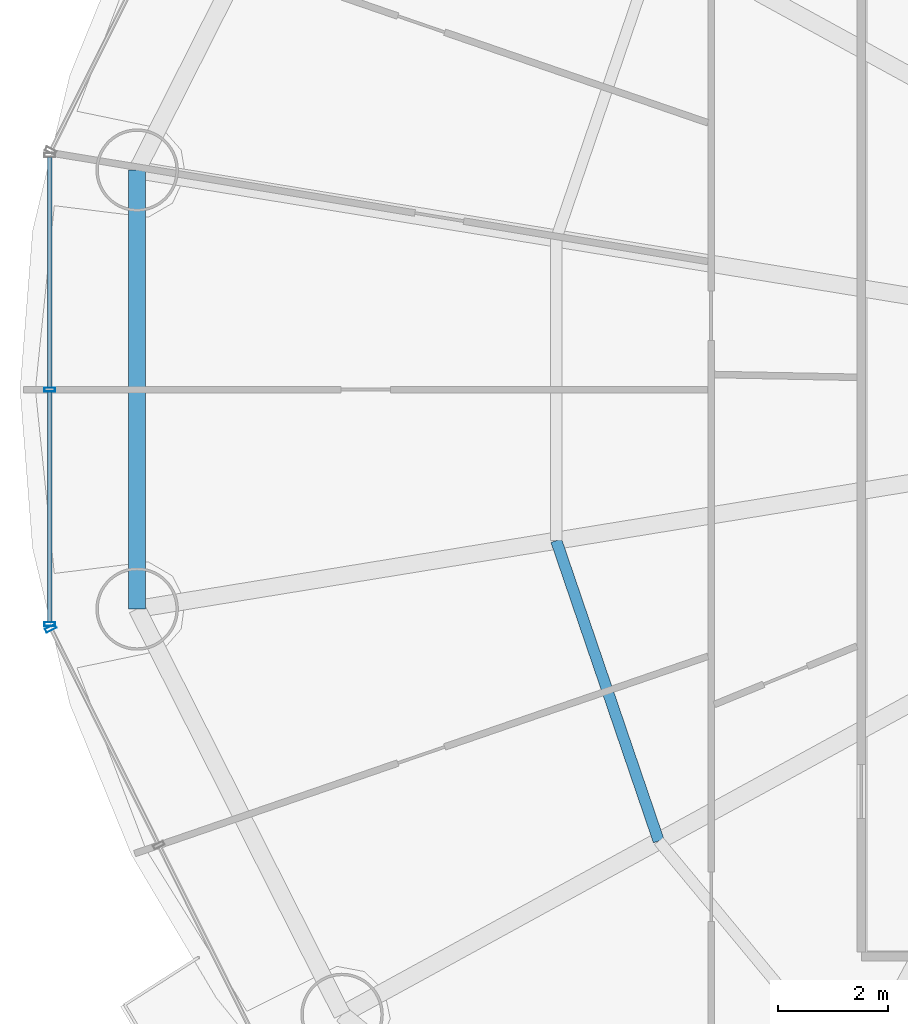
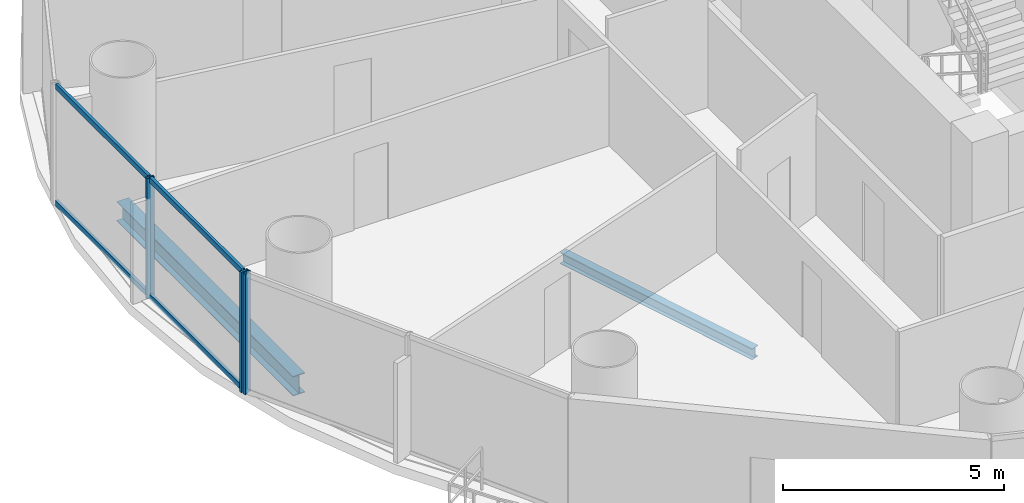
# One storey, part 7 of 29: 7 members, 2 beams, 2 elements without a shape of their own.
"""IFC4 building model written with IfcOpenShell, lengths in metres."""

import ifcopenshell
import ifcopenshell.guid

model = None  # the IFC model being written
_history = None  # IfcOwnerHistory: only IFC2X3 demands one
_inside = {}  # id of a spatial element -> (the spatial element, [elements in it])
_under = {}  # id of a project, library or spatial element -> (it, [spatial elements below it])
_declared = {}  # id of a project -> (the project, [libraries it declares])
_typed = {}  # id of a type object -> (the type object, [elements of that type])
_made_of = {}  # id of a material, layer set ... -> (it, [elements and type objects made of it])


def new_model(schema):
    """Start an empty IFC model of exactly this schema.

    Asked for "IFC4X3", IfcOpenShell would pick the latest addendum, in which some entities
    have other attributes; the version numbers below select the first issue.
    IFC2X3 requires an IfcOwnerHistory on every rooted entity: one is made here for all.
    """
    global model, _history
    if schema == "IFC4X3":
        model = ifcopenshell.file(schema_version=(4, 3, 0, 0))
    else:
        model = ifcopenshell.file(schema=schema)
    _inside.clear()
    _under.clear()
    _declared.clear()
    _typed.clear()
    _made_of.clear()
    _history = None
    if model.schema == "IFC2X3":
        org = make("IfcOrganization", Name="unknown")
        user = make(
            "IfcPersonAndOrganization",
            ThePerson=make("IfcPerson", FamilyName="unknown"),
            TheOrganization=org,
        )
        app = make(
            "IfcApplication",
            ApplicationDeveloper=org,
            Version="unknown",
            ApplicationFullName="unknown",
            ApplicationIdentifier="unknown",
        )
        _history = make(
            "IfcOwnerHistory",
            OwningUser=user,
            OwningApplication=app,
            ChangeAction="ADDED",
            CreationDate=0,
        )
    return model


def make(cls, **values):
    """One entity of the class cls with the attributes given. An attribute that is None is left unset."""
    return model.create_entity(
        cls, **{name: value for name, value in values.items() if value is not None}
    )


def rooted(cls, **values):
    """An entity with a GlobalId (a new one), such as an element, a storey or a relation."""
    return make(cls, GlobalId=ifcopenshell.guid.new(), OwnerHistory=_history, **values)


def si_unit(unit_type, name, prefix=None):
    """IfcSIUnit, for example si_unit("LENGTHUNIT", "METRE", prefix="MILLI")."""
    return make("IfcSIUnit", UnitType=unit_type, Prefix=prefix, Name=name)


def assignment(units):
    """IfcUnitAssignment: the units of a project."""
    return None if units is None else make("IfcUnitAssignment", Units=units)


def point(xyz):
    """IfcCartesianPoint."""
    return None if xyz is None else make("IfcCartesianPoint", Coordinates=xyz)


def direction(xyz):
    """IfcDirection."""
    return None if xyz is None else make("IfcDirection", DirectionRatios=xyz)


def frame(location, z_axis=None, x_axis=None):
    """IfcAxis2Placement3D, a coordinate frame: its origin and axes. An axis left out is left unset."""
    return make(
        "IfcAxis2Placement3D",
        Location=point(location),
        Axis=direction(z_axis),
        RefDirection=direction(x_axis),
    )


def frame_2d(location, x_axis=None):
    """IfcAxis2Placement2D, a coordinate frame in the plane: its origin and x axis."""
    return make(
        "IfcAxis2Placement2D", Location=point(location), RefDirection=direction(x_axis)
    )


def origin():
    """The frame at (0, 0, 0) with its axes left unset."""
    return frame((0.0, 0.0, 0.0))


def origin_2d():
    """The frame at (0, 0) in the plane with its x axis left unset."""
    return frame_2d((0.0, 0.0))


def place(relative_to, where):
    """IfcLocalPlacement: puts the frame where relative to a parent placement (None: the world)."""
    return make(
        "IfcLocalPlacement", PlacementRelTo=relative_to, RelativePlacement=where
    )


def context(
    kind, dimensions, precision=None, world=None, true_north=None, identifier=None
):
    """IfcGeometricRepresentationContext, for example the 3D "Model" context."""
    return make(
        "IfcGeometricRepresentationContext",
        ContextIdentifier=identifier,
        ContextType=kind,
        CoordinateSpaceDimension=dimensions,
        Precision=precision,
        WorldCoordinateSystem=world,
        TrueNorth=true_north,
    )


def subcontext(parent, identifier, kind, view, scale=None):
    """IfcGeometricRepresentationSubContext, for example "Body" below "Model"."""
    return make(
        "IfcGeometricRepresentationSubContext",
        ContextIdentifier=identifier,
        ContextType=kind,
        ParentContext=parent,
        TargetScale=scale,
        TargetView=view,
    )


def project(units=None, contexts=None):
    """IfcProject with its units and contexts."""
    return rooted(
        "IfcProject",
        Name="project",
        RepresentationContexts=contexts,
        UnitsInContext=assignment(units),
    )


def spatial(cls, under=None, at=None, **own):
    """A site, building, storey or space (cls), placed at a placement, below another one or the project."""
    s = rooted(cls, ObjectPlacement=at, **own)
    if under is not None:
        _under.setdefault(under.id(), (under, []))[1].append(s)
    return s


def profile(cls, at=None, kind="AREA", **sizes):
    """A parametric profile (cls). Its sizes go by their IFC names, for example OverallWidth=200.0."""
    return make(cls, ProfileType=kind, Position=at, **sizes)


def hollow_rectangle(**sizes):
    """IfcRectangleHollowProfileDef."""
    return profile("IfcRectangleHollowProfileDef", **sizes)


def i_section(**sizes):
    """IfcIShapeProfileDef."""
    return profile("IfcIShapeProfileDef", **sizes)


def extrude(swept, where, along, depth):
    """IfcExtrudedAreaSolid: the profile swept, set in the frame where, extruded along a direction by depth."""
    return make(
        "IfcExtrudedAreaSolid",
        SweptArea=swept,
        Position=where,
        ExtrudedDirection=direction(along),
        Depth=depth,
    )


def shape(context_of_items, identifier, shape_type, items):
    """IfcShapeRepresentation: the items that make up one representation, for example the "Body"."""
    return make(
        "IfcShapeRepresentation",
        ContextOfItems=context_of_items,
        RepresentationIdentifier=identifier,
        RepresentationType=shape_type,
        Items=items,
    )


def source(mapping_origin, context_of_items, identifier, shape_type, items):
    """IfcRepresentationMap: a shape defined once, which mapped items show again and again."""
    return make(
        "IfcRepresentationMap",
        MappingOrigin=mapping_origin,
        MappedRepresentation=shape(context_of_items, identifier, shape_type, items),
    )


def transform(
    local_origin,
    x_axis=None,
    y_axis=None,
    z_axis=None,
    scale=None,
    scale2=None,
    scale3=None,
    uniform=True,
):
    """IfcCartesianTransformationOperator3D, or its non-uniform kind. x_axis, y_axis, z_axis: its Axis1, 2, 3."""
    if uniform:
        return make(
            "IfcCartesianTransformationOperator3D",
            Axis1=direction(x_axis),
            Axis2=direction(y_axis),
            LocalOrigin=point(local_origin),
            Scale=scale,
            Axis3=direction(z_axis),
        )
    return make(
        "IfcCartesianTransformationOperator3DnonUniform",
        Axis1=direction(x_axis),
        Axis2=direction(y_axis),
        LocalOrigin=point(local_origin),
        Scale=scale,
        Axis3=direction(z_axis),
        Scale2=scale2,
        Scale3=scale3,
    )


def mapped(mapping_source, mapping_target):
    """IfcMappedItem: shows the shape of a source again, moved by a transform."""
    return make(
        "IfcMappedItem", MappingSource=mapping_source, MappingTarget=mapping_target
    )


def material(Name=None, Category=None):
    """IfcMaterial."""
    return make("IfcMaterial", Name=Name, Category=Category)


def material_profile(
    of_material, cross_section, Name=None, Category=None, Priority=None
):
    """IfcMaterialProfile: a cross section and its material."""
    return make(
        "IfcMaterialProfile",
        Name=Name,
        Material=of_material,
        Profile=cross_section,
        Priority=Priority,
        Category=Category,
    )


def profile_set(profiles, Name=None, composite=None):
    """IfcMaterialProfileSet."""
    return make(
        "IfcMaterialProfileSet",
        Name=Name,
        MaterialProfiles=profiles,
        CompositeProfile=composite,
    )


def made_of(thing, what):
    """Note that an element or type object is made of a material, layer set ...; save() writes the relation."""
    if what is not None:
        _made_of.setdefault(what.id(), (what, []))[1].append(thing)
    return thing


def type_object(cls, material=None, **own):
    """A type object (cls), such as IfcWallType, which elements share."""
    return made_of(rooted(cls, **own), material)


def element(
    cls,
    number,
    at=None,
    inside=None,
    cuts=None,
    type_object=None,
    material=None,
    context=None,
    identifier="Body",
    shape_type=None,
    held_by="IfcProductDefinitionShape",
    body=None,
    shapes=None,
    **own,
):
    """One element of the class cls, such as IfcWall. Its Tag is "e" and its number.

    at: its placement. inside: the storey or other place that contains it. cuts: it is an
    opening in that element (IfcRelVoidsElement). A single representation is given by context,
    identifier, shape_type and body (its items); several are given by shapes. held_by: the class
    of the entity that holds the representations. save() writes the other relations.
    """
    e = rooted(cls, Tag="e%d" % number, ObjectPlacement=at, **own)
    if body is not None:
        shapes = [shape(context, identifier, shape_type, body)]
    if shapes is not None:
        e.Representation = make(held_by, Representations=shapes)
    if inside is not None:
        _inside.setdefault(inside.id(), (inside, []))[1].append(e)
    if cuts is not None:
        rooted(
            "IfcRelVoidsElement", RelatingBuildingElement=cuts, RelatedOpeningElement=e
        )
    if type_object is not None:
        _typed.setdefault(type_object.id(), (type_object, []))[1].append(e)
    return made_of(e, material)


def aggregate(whole, parts):
    """IfcRelAggregates: a whole, such as a stair, and the parts it consists of."""
    return rooted("IfcRelAggregates", RelatingObject=whole, RelatedObjects=parts)


def save(model, path):
    """Write the relations noted so far, then the file.

    IfcRelAggregates (storeys below a building ...), IfcRelContainedInSpatialStructure (elements
    in a storey), IfcRelDefinesByType, IfcRelAssociatesMaterial and IfcRelDeclares: one each for
    every whole, place, type object, material and project.
    """
    for whole, parts in _under.values():
        aggregate(whole, parts)
    for where, things in _inside.values():
        rooted(
            "IfcRelContainedInSpatialStructure",
            RelatedElements=things,
            RelatingStructure=where,
        )
    for kind, things in _typed.values():
        rooted("IfcRelDefinesByType", RelatedObjects=things, RelatingType=kind)
    for what, things in _made_of.values():
        rooted("IfcRelAssociatesMaterial", RelatedObjects=things, RelatingMaterial=what)
    for by, libraries in _declared.values():
        rooted("IfcRelDeclares", RelatingContext=by, RelatedDefinitions=libraries)
    model.write(path)


model = new_model("IFC4")

# Units and contexts
model_context = context("Model", 3, precision=1e-05, world=origin(), true_north=direction((-0.2419218956, 0.970295726276)))
body_context = subcontext(model_context, "Body", "Model", "MODEL_VIEW")
ifc_project = project(units=[si_unit("LENGTHUNIT", "METRE"), si_unit("AREAUNIT", "SQUARE_METRE"), si_unit("VOLUMEUNIT", "CUBIC_METRE"), si_unit("PLANEANGLEUNIT", "RADIAN"), si_unit("MASSUNIT", "GRAM", prefix="KILO")], contexts=[model_context])

# Site, building, storey
site_placement = place(None, origin())
site = spatial("IfcSite", under=ifc_project, at=site_placement, CompositionType="ELEMENT")
building_placement = place(site_placement, origin())
building = spatial("IfcBuilding", under=site, at=building_placement, Name="Cobrevalo Terracotta Tower", CompositionType="ELEMENT")
storey_placement = place(building_placement, frame((0.0, 0.0, 112.199951171875)))
storey = spatial("IfcBuildingStorey", under=building, at=storey_placement, Name="L29", CompositionType="ELEMENT", Elevation=112.199951171875)

# Beams
ifc_material_1 = material(Name="Steel S355", Category="steel")
ifc_material_profile_1 = material_profile(ifc_material_1, i_section(OverallWidth=0.2041015625, OverallDepth=0.305908203125, WebThickness=0.008544921875, FlangeThickness=0.0146484375, at=origin_2d()), Name="W 310x67")
ifc_profile_set_1 = profile_set([ifc_material_profile_1], Name="Steel S355")
beam_type_1 = type_object("IfcBeamType", Name="Structural Joist W 310x67 (Steel S355)", PredefinedType="JOIST", material=ifc_profile_set_1)
beam_1_placement = place(storey_placement, frame((21.149658203125, 24.052734375, -0.427978515625), z_axis=(0.322846227919, -0.946451431991, 0.0), x_axis=(0.946451431991, 0.322846227919, 0.0)))
element("IfcBeam", 1, at=beam_1_placement, inside=storey, type_object=beam_type_1, Name="L29 circumferential secondary floor joist 09", PredefinedType="JOIST", context=body_context, shape_type="SweptSolid", body=[
    extrude(i_section(OverallWidth=0.2041015625, OverallDepth=0.305908203125, WebThickness=0.008544921875, FlangeThickness=0.0146484375, at=origin_2d()), origin(), (0.0, 0.0, 1.0), 5.77001953125),
])
ifc_material_profile_2 = material_profile(ifc_material_1, i_section(OverallWidth=0.31201171875, OverallDepth=0.54296875, WebThickness=0.0126953125, FlangeThickness=0.020263671875, at=origin_2d()), Name="W 530x150")
ifc_profile_set_2 = profile_set([ifc_material_profile_2], Name="Steel S355")
beam_type_2 = type_object("IfcBeamType", Name="Structural Spandrel W 530x150 (Steel S355)", PredefinedType="SPANDREL", material=ifc_profile_set_2)
beam_2_placement = place(storey_placement, frame((13.529296875, 30.78955078125, -0.54638671875), z_axis=(0.0, -1.0, 0.0), x_axis=(1.0, 0.0, 0.0)))
element("IfcBeam", 2, at=beam_2_placement, inside=storey, type_object=beam_type_2, Name="L29 perimeter ring spandrel 08", PredefinedType="SPANDREL", context=body_context, shape_type="SweptSolid", body=[
    extrude(i_section(OverallWidth=0.31201171875, OverallDepth=0.54296875, WebThickness=0.0126953125, FlangeThickness=0.020263671875, at=origin_2d()), origin(), (0.0, 0.0, 1.0), 7.979248046875),
])

# Curtain wall, members
ifc_material_2 = material(Name="Anodized aluminium", Category="aluminium")
curtain_wall_type = type_object("IfcCurtainWallType", Name="Lower-tower unitised acoustic low-E curtain wall CW-U1", PredefinedType="NOTDEFINED", material=ifc_material_2)
curtain_wall_1_placement = place(storey_placement, origin())
curtain_wall_1 = element("IfcCurtainWall", 3, at=curtain_wall_1_placement, inside=storey, type_object=curtain_wall_type, Name="L29 curtain wall CW-L29-S08", PredefinedType="NOTDEFINED")
ifc_material_profile_3 = material_profile(ifc_material_2, hollow_rectangle(XDim=0.074951171875, YDim=0.14990234375, WallThickness=0.00439453125, at=origin_2d()), Name="CWT 75x150")
ifc_profile_set_3 = profile_set([ifc_material_profile_3], Name="Anodized aluminium")
member_type_1 = type_object("IfcMemberType", Name="Tower unitised aluminium transom 75x150", PredefinedType="USERDEFINED", material=ifc_profile_set_3)
shared_shape_1 = source(origin(), body_context, "Body", "SweptSolid", [
    extrude(hollow_rectangle(XDim=0.074951171875, YDim=0.14990234375, WallThickness=0.00439453125, at=origin_2d()), origin(), (0.0, 0.0, 1.0), 4.185546875),
])
member_1_placement = place(storey_placement, frame((11.9404296875, 31.025634765625, 0.050048828125), z_axis=(0.0, -1.0, 0.0), x_axis=(1.0, 0.0, 0.0)))
member_1 = element("IfcMember", 4, at=member_1_placement, type_object=member_type_1, Name="CW-L29-S08 transom B01-T1", ObjectType="TRANSOM", PredefinedType="USERDEFINED", context=body_context, shape_type="MappedRepresentation", body=[
    mapped(shared_shape_1, transform((0.0, 0.0, 0.0), scale=1.0)),
])
member_2_placement = place(storey_placement, frame((11.9404296875, 31.025634765625, 3.275146484375), z_axis=(0.0, -1.0, 0.0), x_axis=(1.0, 0.0, 0.0)))
member_2 = element("IfcMember", 5, at=member_2_placement, type_object=member_type_1, Name="CW-L29-S08 transom B01-T2", ObjectType="TRANSOM", PredefinedType="USERDEFINED", context=body_context, shape_type="MappedRepresentation", body=[
    mapped(shared_shape_1, transform((0.0, 0.0, 0.0), scale=1.0)),
])
member_3_placement = place(storey_placement, frame((11.9404296875, 26.760009765625, 0.050048828125), z_axis=(0.0, -1.0, 0.0), x_axis=(1.0, 0.0, 0.0)))
member_3 = element("IfcMember", 6, at=member_3_placement, type_object=member_type_1, Name="CW-L29-S08 transom B02-T1", ObjectType="TRANSOM", PredefinedType="USERDEFINED", context=body_context, shape_type="MappedRepresentation", body=[
    mapped(shared_shape_1, transform((0.0, 0.0, 0.0), scale=1.0)),
])
member_4_placement = place(storey_placement, frame((11.9404296875, 26.760009765625, 3.275146484375), z_axis=(0.0, -1.0, 0.0), x_axis=(1.0, 0.0, 0.0)))
member_4 = element("IfcMember", 7, at=member_4_placement, type_object=member_type_1, Name="CW-L29-S08 transom B02-T2", ObjectType="TRANSOM", PredefinedType="USERDEFINED", context=body_context, shape_type="MappedRepresentation", body=[
    mapped(shared_shape_1, transform((0.0, 0.0, 0.0), scale=1.0)),
])
ifc_material_profile_4 = material_profile(ifc_material_2, hollow_rectangle(XDim=0.074951171875, YDim=0.199951171875, WallThickness=0.0048828125, at=origin_2d()), Name="CWM 75x200")
ifc_profile_set_4 = profile_set([ifc_material_profile_4], Name="Anodized aluminium")
member_type_2 = type_object("IfcMemberType", Name="Lower/mid tower unitised mullion 75x200", PredefinedType="MULLION", material=ifc_profile_set_4)
shared_shape_2 = source(origin(), body_context, "Body", "SweptSolid", [
    extrude(hollow_rectangle(XDim=0.074951171875, YDim=0.199951171875, WallThickness=0.0048828125, at=origin_2d()), origin(), (0.0, 0.0, 1.0), 3.324951171875),
])
member_5_placement = place(storey_placement, frame((11.9404296875, 26.800048828125, 0.0), z_axis=(0.0, 0.0, 1.0), x_axis=(0.0, -1.0, 0.0)))
member_5 = element("IfcMember", 8, at=member_5_placement, type_object=member_type_2, Name="CW-L29-S08 vertical mullion 02", PredefinedType="MULLION", context=body_context, shape_type="MappedRepresentation", body=[
    mapped(shared_shape_2, transform((0.0, 0.0, 0.0), scale=1.0)),
])
member_6_placement = place(storey_placement, frame((11.9404296875, 22.534423828125, 0.0), z_axis=(0.0, 0.0, 1.0), x_axis=(0.0, -1.0, 0.0)))
member_6 = element("IfcMember", 9, at=member_6_placement, type_object=member_type_2, Name="CW-L29-S08 vertical mullion 03", PredefinedType="MULLION", context=body_context, shape_type="MappedRepresentation", body=[
    mapped(shared_shape_2, transform((0.0, 0.0, 0.0), scale=1.0)),
])
aggregate(curtain_wall_1, [member_5, member_6, member_1, member_2, member_3, member_4])

# Curtain wall, member
curtain_wall_2_placement = place(storey_placement, origin())
curtain_wall_2 = element("IfcCurtainWall", 10, at=curtain_wall_2_placement, inside=storey, type_object=curtain_wall_type, Name="L29 curtain wall CW-L29-S09", PredefinedType="NOTDEFINED")
member_7_placement = place(storey_placement, frame((11.95849609375, 22.45849609375, 0.0), z_axis=(0.0, 0.0, 1.0), x_axis=(0.446260290227, -0.894903208937, 0.0)))
member_7 = element("IfcMember", 11, at=member_7_placement, type_object=member_type_2, Name="CW-L29-S09 vertical mullion 01", PredefinedType="MULLION", context=body_context, shape_type="MappedRepresentation", body=[
    mapped(shared_shape_2, transform((0.0, 0.0, 0.0), scale=1.0)),
])
aggregate(curtain_wall_2, [member_7])

save(model, "model.ifc")
